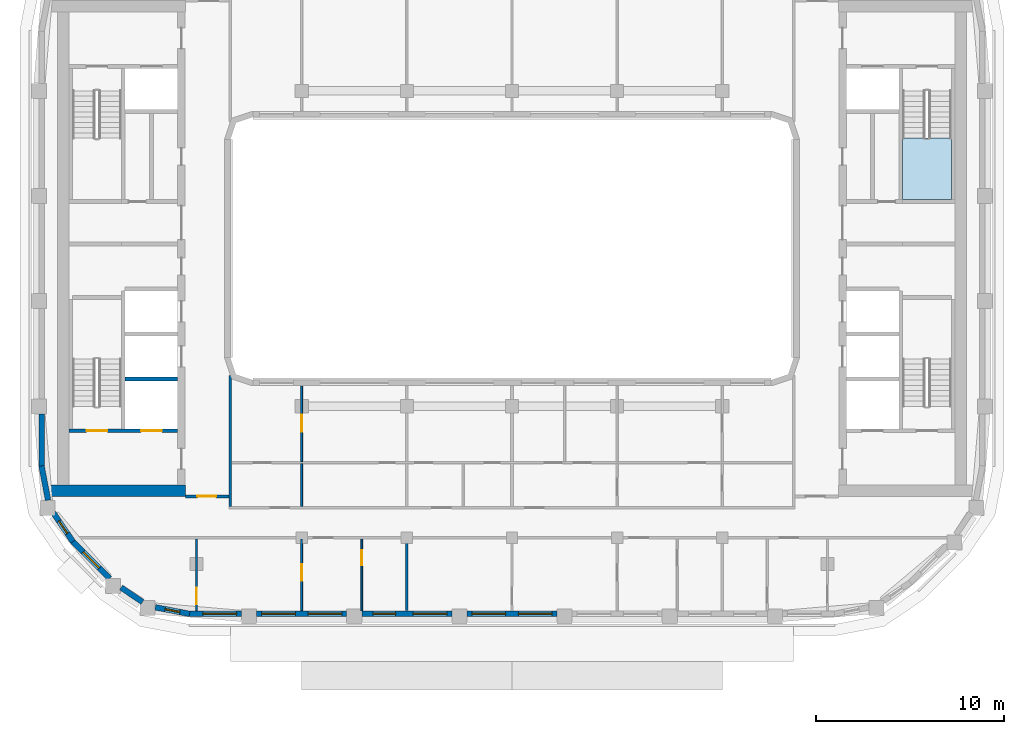
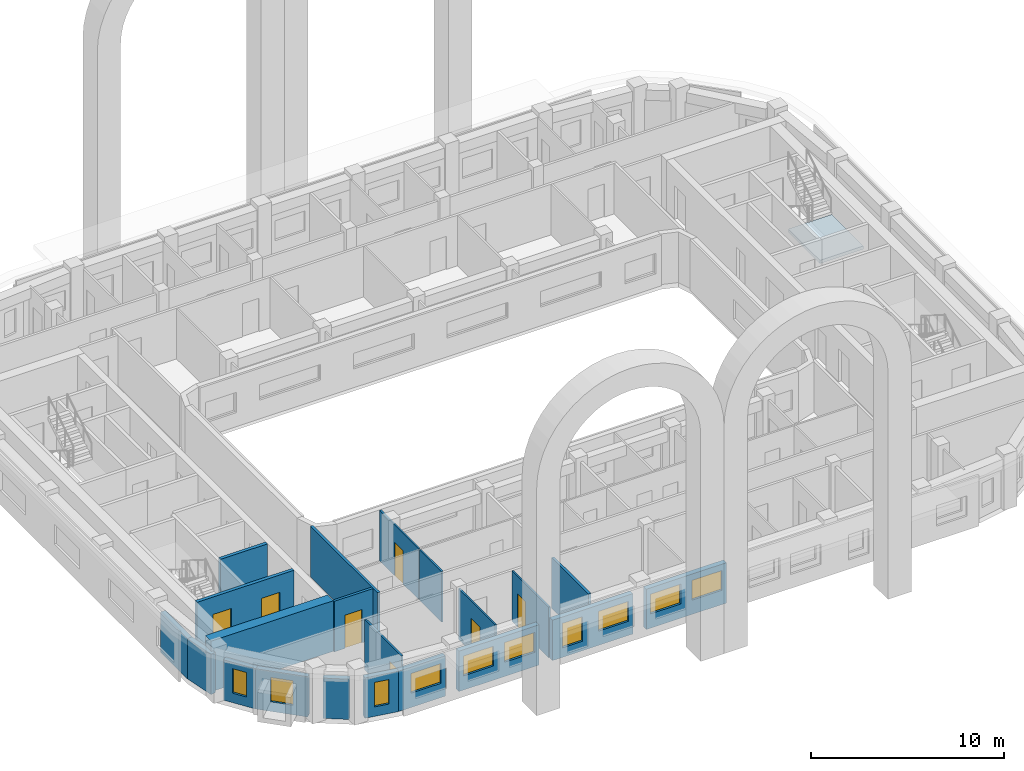
# One storey, part 2 of 18: 21 walls, 10 windows, 7 doors, 1 slab, 17 openings, 1 element without a shape of its own.
"""IFC4 building model written with IfcOpenShell, lengths in metres."""

from ifc_helpers import new_model, si_unit, direction, frame, frame_2d, origin, place, context, subcontext, project, spatial, polyline, rectangle, outline, extrude, material, layer, layer_set, type_object, element, fill, aggregate, save


model = new_model("IFC4")

# Units and contexts
model_context = context("Model", 3, precision=1e-05, world=origin(), true_north=direction((0.0, 1.0)))
body_context = subcontext(model_context, "Body", "Model", "MODEL_VIEW")
ifc_project = project(units=[si_unit("LENGTHUNIT", "METRE"), si_unit("AREAUNIT", "SQUARE_METRE"), si_unit("VOLUMEUNIT", "CUBIC_METRE"), si_unit("PLANEANGLEUNIT", "RADIAN"), si_unit("MASSUNIT", "GRAM", prefix="KILO")], contexts=[model_context])

# Site, building, storey
site_placement = place(None, origin())
site = spatial("IfcSite", under=ifc_project, at=site_placement, CompositionType="ELEMENT")
building_placement = place(site_placement, origin())
building = spatial("IfcBuilding", under=site, at=building_placement, Name="Kiln Ring Residences", CompositionType="ELEMENT")
storey_placement = place(building_placement, frame((0.0, 0.0, 262.699951171875)))
storey = spatial("IfcBuildingStorey", under=building, at=storey_placement, Name="L68", CompositionType="ELEMENT", Elevation=262.699951171875)

# Stair, slab
ifc_material_1 = material(Name="Concrete C40/50", Category="concrete")
stair_type = type_object("IfcStairType", Name="CORE-STAIR", PredefinedType="HALF_TURN_STAIR", material=ifc_material_1)
stair_placement = place(storey_placement, origin())
stair = element("IfcStair", 1, at=stair_placement, inside=storey, type_object=stair_type, Name="L68 stair E-STN", PredefinedType="HALF_TURN_STAIR")
ifc_material_2 = material(Name="Concrete C40/50", Category="concrete")
ifc_layer_1 = layer(ifc_material_2, 0.199951171875)
ifc_layer_set_1 = layer_set([ifc_layer_1], Name="CORE-STAIR-LANDING")
slab_type = type_object("IfcSlabType", Name="CORE-STAIR-LANDING", PredefinedType="LANDING", material=ifc_layer_set_1)
slab_placement = place(storey_placement, frame((0.0, 0.0, 1.550048828125)))
slab = element("IfcSlab", 2, at=slab_placement, type_object=slab_type, Name="E-STN landing 1", PredefinedType="LANDING", context=body_context, shape_type="SweptSolid", body=[
    extrude(outline(polyline([(20.800048828125, 5.8798828125), (20.800048828125, 2.60009765625), (23.39990234375, 2.60009765625), (23.39990234375, 5.8798828125), (20.800048828125, 5.8798828125)])), origin(), (0.0, 0.0, 1.0), 0.199951171875),
])
aggregate(stair, [slab])

# Wall
ifc_material_3 = material(Name="Gypsum shaft wall system")
ifc_layer_2 = layer(ifc_material_3, 0.199951171875)
ifc_layer_set_2 = layer_set([ifc_layer_2], Name="CORE-SHAFT-WALL-200")
wall_type_1 = type_object("IfcWallType", Name="CORE-SHAFT-WALL-200", PredefinedType="PARTITIONING", material=ifc_layer_set_2)
wall_1_placement = place(storey_placement, frame((-17.800048828125, -6.949951171875, 0.0), z_axis=(0.0, 0.0, 1.0), x_axis=(-1.0, 0.0, 0.0)))
element("IfcWall", 3, at=wall_1_placement, inside=storey, type_object=wall_type_1, Name="Core partition west L68 3", PredefinedType="PARTITIONING", context=body_context, shape_type="SweptSolid", body=[
    extrude(rectangle(XDim=2.800048828125, YDim=0.199951171875, at=frame_2d((1.39990234375, 0.0))), origin(), (0.0, 0.0, 1.0), 3.199951171875),
])

# Wall, openings, doors
ifc_material_4 = material(Name="Concrete C40/50", Category="concrete")
ifc_layer_3 = layer(ifc_material_4, 0.199951171875)
ifc_layer_set_3 = layer_set([ifc_layer_3], Name="CORE-WALL-RC200")
wall_type_2 = type_object("IfcWallType", Name="CORE-WALL-RC200", PredefinedType="SHEAR", material=ifc_layer_set_3)
wall_2_placement = place(storey_placement, frame((-17.800048828125, -9.699951171875, 0.0), z_axis=(0.0, 0.0, 1.0), x_axis=(-1.0, 0.0, 0.0)))
wall_2 = element("IfcWall", 4, at=wall_2_placement, inside=storey, type_object=wall_type_2, Name="Core wall west L68 8", PredefinedType="SHEAR", context=body_context, shape_type="SweptSolid", body=[
    extrude(rectangle(XDim=5.800048828125, YDim=0.199951171875, at=frame_2d((2.89990234375, 0.0))), origin(), (0.0, 0.0, 1.0), 3.199951171875),
])
opening_1_placement = place(wall_2_placement, frame((0.85009765625, 0.0, 0.0)))
opening_1 = element("IfcOpeningElement", 5, at=opening_1_placement, cuts=wall_2, Name="Opening L68-CW01", PredefinedType="OPENING", context=body_context, shape_type="SweptSolid", body=[
    extrude(rectangle(XDim=1.10009765625, YDim=2.10009765625, at=frame_2d((0.550048828125, 1.050048828125))), frame((0.0, 0.10986328125, 0.0), z_axis=(0.0, -1.0, 0.0), x_axis=(1.0, 0.0, 0.0)), (0.0, 0.0, 1.0), 0.219970703125),
])
opening_2_placement = place(wall_2_placement, frame((3.75, 0.0, 0.0)))
opening_2 = element("IfcOpeningElement", 6, at=opening_2_placement, cuts=wall_2, Name="Opening L68-CW11", PredefinedType="OPENING", context=body_context, shape_type="SweptSolid", body=[
    extrude(rectangle(XDim=1.10009765625, YDim=2.10009765625, at=frame_2d((0.550048828125, 1.050048828125))), frame((0.0, 0.10986328125, 0.0), z_axis=(0.0, -1.0, 0.0), x_axis=(1.0, 0.0, 0.0)), (0.0, 0.0, 1.0), 0.219970703125),
])
ifc_material_5 = material(Name="Steel door leaf", Category="steel")
door_type_1 = type_object("IfcDoorType", Name="CORE-DOOR-LD", OperationType="DOUBLE_DOOR_SLIDING", PredefinedType="DOOR", material=ifc_material_5)
door_1_placement = place(opening_1_placement, origin())
door_1 = element("IfcDoor", 7, at=door_1_placement, inside=storey, type_object=door_type_1, Name="LD W-SV L68-CW01", OperationType="DOUBLE_DOOR_SLIDING", OverallHeight=2.10009765625, OverallWidth=1.10009765625, PredefinedType="DOOR", context=body_context, shape_type="SweptSolid", body=[
    extrude(rectangle(XDim=1.10009765625, YDim=2.10009765625, at=frame_2d((0.550048828125, 1.050048828125))), frame((0.0, 0.02490234375, 0.0), z_axis=(0.0, -1.0, 0.0), x_axis=(1.0, 0.0, 0.0)), (0.0, 0.0, 1.0), 0.050048828125),
])
fill(opening_1, door_1)
ifc_material_6 = material(Name="Steel door leaf", Category="steel")
door_type_2 = type_object("IfcDoorType", Name="CORE-DOOR-STAIR", OperationType="SINGLE_SWING_LEFT", PredefinedType="DOOR", material=ifc_material_6)
door_2_placement = place(opening_2_placement, origin())
door_2 = element("IfcDoor", 8, at=door_2_placement, inside=storey, type_object=door_type_2, Name="Stair W-STS L68-CW11", OperationType="SINGLE_SWING_RIGHT", OverallHeight=2.10009765625, OverallWidth=1.10009765625, PredefinedType="DOOR", context=body_context, shape_type="SweptSolid", body=[
    extrude(rectangle(XDim=1.10009765625, YDim=2.10009765625, at=frame_2d((0.550048828125, 1.050048828125))), frame((0.0, 0.02490234375, 0.0), z_axis=(0.0, -1.0, 0.0), x_axis=(1.0, 0.0, 0.0)), (0.0, 0.0, 1.0), 0.050048828125),
])
fill(opening_2, door_2)

# Wall
ifc_material_7 = material(Name="Concrete C60/75", Category="concrete")
ifc_layer_4 = layer(ifc_material_7, 0.60009765625)
ifc_layer_set_4 = layer_set([ifc_layer_4], Name="CORE-WALL-RC600")
wall_type_3 = type_object("IfcWallType", Name="CORE-WALL-RC600", PredefinedType="SHEAR", material=ifc_layer_set_4)
wall_3_placement = place(storey_placement, frame((-17.39990234375, -12.89990234375, 0.0), z_axis=(0.0, 0.0, 1.0), x_axis=(-1.0, 0.0, 0.0)))
element("IfcWall", 9, at=wall_3_placement, inside=storey, type_object=wall_type_3, Name="Core wall west L68 5", PredefinedType="SHEAR", context=body_context, shape_type="SweptSolid", body=[
    extrude(rectangle(XDim=7.320068359375, YDim=0.60009765625, at=frame_2d((3.66015625, 0.0))), origin(), (0.0, 0.0, 1.0), 3.199951171875),
])

# Wall, opening, window
ifc_material_8 = material(Name="Brick masonry, dark clay brick", Category="masonry")
ifc_layer_5 = layer(ifc_material_8, 0.300048828125)
ifc_layer_set_5 = layer_set([ifc_layer_5], Name="EW-300 BRICK WALL")
wall_type_4 = type_object("IfcWallType", Name="EW-300 BRICK WALL", PredefinedType="SOLIDWALL", material=ifc_layer_set_5)
wall_4_placement = place(storey_placement, frame((-23.39697265625, -15.591064453125, 0.0), z_axis=(0.0, 0.0, 1.0), x_axis=(0.707150377276, -0.707063182409, 0.0)))
wall_4 = element("IfcWall", 10, at=wall_4_placement, inside=storey, type_object=wall_type_4, Name="Facade wall L68 1", PredefinedType="SOLIDWALL", context=body_context, shape_type="SweptSolid", body=[
    extrude(rectangle(XDim=2.800048828125, YDim=0.300048828125, at=frame_2d((1.39990234375, 0.0))), origin(), (0.0, 0.0, 1.0), 2.550048828125),
])
opening_3_placement = place(wall_4_placement, frame((0.800048828125, 0.0, 0.60009765625)))
opening_3 = element("IfcOpeningElement", 11, at=opening_3_placement, cuts=wall_4, Name="Opening W1", PredefinedType="OPENING", context=body_context, shape_type="SweptSolid", body=[
    extrude(rectangle(XDim=1.199951171875, YDim=1.550048828125, at=frame_2d((0.60009765625, 0.77490234375))), frame((0.0, 0.159912109375, 0.0), z_axis=(0.0, -1.0, 0.0), x_axis=(1.0, 0.0, 0.0)), (0.0, 0.0, 1.0), 0.320068359375),
])
ifc_material_9 = material(Name="Aluminium frame with double glazing", Category="aluminium")
window_type_1 = type_object("IfcWindowType", Name="WINDOW 1200 x 1550", PartitioningType="SINGLE_PANEL", PredefinedType="WINDOW", material=ifc_material_9)
window_1_placement = place(opening_3_placement, origin())
window_1 = element("IfcWindow", 12, at=window_1_placement, inside=storey, type_object=window_type_1, Name="Window L68 1", OverallHeight=1.550048828125, OverallWidth=1.199951171875, PartitioningType="SINGLE_PANEL", PredefinedType="WINDOW", context=body_context, shape_type="SweptSolid", body=[
    extrude(rectangle(XDim=1.199951171875, YDim=1.550048828125, at=frame_2d((0.60009765625, 0.77490234375))), frame((0.0, 0.030029296875, 0.0), z_axis=(0.0, -1.0, 0.0), x_axis=(1.0, 0.0, 0.0)), (0.0, 0.0, 1.0), 0.06005859375),
])
fill(opening_3, window_1)

# Wall
wall_5_placement = place(storey_placement, frame((-20.816650390625, -18.048095703125, 0.0), z_axis=(0.0, 0.0, 1.0), x_axis=(0.827025410886, -0.562164539747, 0.0)))
element("IfcWall", 13, at=wall_5_placement, inside=storey, type_object=wall_type_4, Name="Facade wall L68 2", PredefinedType="SOLIDWALL", context=body_context, shape_type="SweptSolid", body=[
    extrude(rectangle(XDim=1.377197265625, YDim=0.300048828125, at=frame_2d((0.6884765625, 0.0))), origin(), (0.0, 0.0, 1.0), 2.550048828125),
])

# Wall, opening, window
wall_6_placement = place(storey_placement, frame((-18.9951171875, -19.10498046875, 0.0), z_axis=(0.0, 0.0, 1.0), x_axis=(0.982301706131, -0.187305520826, 0.0)))
wall_6 = element("IfcWall", 14, at=wall_6_placement, inside=storey, type_object=wall_type_4, Name="Facade wall L68 3", PredefinedType="SOLIDWALL", context=body_context, shape_type="SweptSolid", body=[
    extrude(rectangle(XDim=1.856201171875, YDim=0.300048828125, at=frame_2d((0.92822265625, 0.0))), origin(), (0.0, 0.0, 1.0), 2.550048828125),
])
opening_4_placement = place(wall_6_placement, frame((0.528076171875, 0.0, 0.60009765625)))
opening_4 = element("IfcOpeningElement", 15, at=opening_4_placement, cuts=wall_6, Name="Opening W5", PredefinedType="OPENING", context=body_context, shape_type="SweptSolid", body=[
    extrude(rectangle(XDim=0.800048828125, YDim=1.550048828125, at=frame_2d((0.39990234375, 0.77490234375))), frame((0.0, 0.159912109375, 0.0), z_axis=(0.0, -1.0, 0.0), x_axis=(1.0, 0.0, 0.0)), (0.0, 0.0, 1.0), 0.320068359375),
])
ifc_material_10 = material(Name="Aluminium frame with double glazing", Category="aluminium")
window_type_2 = type_object("IfcWindowType", Name="WINDOW 800 x 1550", PartitioningType="SINGLE_PANEL", PredefinedType="WINDOW", material=ifc_material_10)
window_2_placement = place(opening_4_placement, origin())
window_2 = element("IfcWindow", 16, at=window_2_placement, inside=storey, type_object=window_type_2, Name="Window L68 2", OverallHeight=1.550048828125, OverallWidth=0.800048828125, PartitioningType="SINGLE_PANEL", PredefinedType="WINDOW", context=body_context, shape_type="SweptSolid", body=[
    extrude(rectangle(XDim=0.800048828125, YDim=1.550048828125, at=frame_2d((0.39990234375, 0.77490234375))), frame((0.0, 0.030029296875, 0.0), z_axis=(0.0, -1.0, 0.0), x_axis=(1.0, 0.0, 0.0)), (0.0, 0.0, 1.0), 0.06005859375),
])
fill(opening_4, window_2)

wall_7_placement = place(storey_placement, frame((-17.199951171875, -19.449951171875, 0.0), z_axis=(0.0, 0.0, 1.0), x_axis=(1.0, 0.0, 0.0)))
wall_7 = element("IfcWall", 17, at=wall_7_placement, inside=storey, type_object=wall_type_4, Name="Facade wall L68 4", PredefinedType="SOLIDWALL", context=body_context, shape_type="SweptSolid", body=[
    extrude(rectangle(XDim=2.800048828125, YDim=0.300048828125, at=frame_2d((1.39990234375, 0.0))), origin(), (0.0, 0.0, 1.0), 2.550048828125),
])
opening_5_placement = place(wall_7_placement, frame((0.737548828125, 0.0, 0.89990234375)))
opening_5 = element("IfcOpeningElement", 18, at=opening_5_placement, cuts=wall_7, Name="Opening W2", PredefinedType="OPENING", context=body_context, shape_type="SweptSolid", body=[
    extrude(rectangle(XDim=1.800048828125, YDim=1.25, at=frame_2d((0.89990234375, 0.625))), frame((0.0, 0.159912109375, 0.0), z_axis=(0.0, -1.0, 0.0), x_axis=(1.0, 0.0, 0.0)), (0.0, 0.0, 1.0), 0.320068359375),
])
ifc_material_11 = material(Name="Aluminium frame with double glazing", Category="aluminium")
window_type_3 = type_object("IfcWindowType", Name="WINDOW 1800 x 1250", PartitioningType="SINGLE_PANEL", PredefinedType="WINDOW", material=ifc_material_11)
window_3_placement = place(opening_5_placement, origin())
window_3 = element("IfcWindow", 19, at=window_3_placement, inside=storey, type_object=window_type_3, Name="Window L68 3", OverallHeight=1.25, OverallWidth=1.800048828125, PartitioningType="SINGLE_PANEL", PredefinedType="WINDOW", context=body_context, shape_type="SweptSolid", body=[
    extrude(rectangle(XDim=1.800048828125, YDim=1.25, at=frame_2d((0.89990234375, 0.625))), frame((0.0, 0.030029296875, 0.0), z_axis=(0.0, -1.0, 0.0), x_axis=(1.0, 0.0, 0.0)), (0.0, 0.0, 1.0), 0.06005859375),
])
fill(opening_5, window_3)

# Wall, openings, windows
wall_8_placement = place(storey_placement, frame((-13.60009765625, -19.449951171875, 0.0), z_axis=(0.0, 0.0, 1.0), x_axis=(1.0, 0.0, 0.0)))
wall_8 = element("IfcWall", 20, at=wall_8_placement, inside=storey, type_object=wall_type_4, Name="Facade wall L68 5", PredefinedType="SOLIDWALL", context=body_context, shape_type="SweptSolid", body=[
    extrude(rectangle(XDim=4.800048828125, YDim=0.300048828125, at=frame_2d((2.39990234375, 0.0))), origin(), (0.0, 0.0, 1.0), 2.550048828125),
])
opening_6_placement = place(wall_8_placement, frame((0.262451171875, 0.0, 0.89990234375)))
opening_6 = element("IfcOpeningElement", 21, at=opening_6_placement, cuts=wall_8, Name="Opening W2", PredefinedType="OPENING", context=body_context, shape_type="SweptSolid", body=[
    extrude(rectangle(XDim=1.800048828125, YDim=1.25, at=frame_2d((0.89990234375, 0.625))), frame((0.0, 0.159912109375, 0.0), z_axis=(0.0, -1.0, 0.0), x_axis=(1.0, 0.0, 0.0)), (0.0, 0.0, 1.0), 0.320068359375),
])
opening_7_placement = place(wall_8_placement, frame((2.737548828125, 0.0, 0.89990234375)))
opening_7 = element("IfcOpeningElement", 22, at=opening_7_placement, cuts=wall_8, Name="Opening W2", PredefinedType="OPENING", context=body_context, shape_type="SweptSolid", body=[
    extrude(rectangle(XDim=1.800048828125, YDim=1.25, at=frame_2d((0.89990234375, 0.625))), frame((0.0, 0.159912109375, 0.0), z_axis=(0.0, -1.0, 0.0), x_axis=(1.0, 0.0, 0.0)), (0.0, 0.0, 1.0), 0.320068359375),
])
window_4_placement = place(opening_6_placement, origin())
window_4 = element("IfcWindow", 23, at=window_4_placement, inside=storey, type_object=window_type_3, Name="Window L68 4", OverallHeight=1.25, OverallWidth=1.800048828125, PartitioningType="SINGLE_PANEL", PredefinedType="WINDOW", context=body_context, shape_type="SweptSolid", body=[
    extrude(rectangle(XDim=1.800048828125, YDim=1.25, at=frame_2d((0.89990234375, 0.625))), frame((0.0, 0.030029296875, 0.0), z_axis=(0.0, -1.0, 0.0), x_axis=(1.0, 0.0, 0.0)), (0.0, 0.0, 1.0), 0.06005859375),
])
fill(opening_6, window_4)
window_5_placement = place(opening_7_placement, origin())
window_5 = element("IfcWindow", 24, at=window_5_placement, inside=storey, type_object=window_type_3, Name="Window L68 5", OverallHeight=1.25, OverallWidth=1.800048828125, PartitioningType="SINGLE_PANEL", PredefinedType="WINDOW", context=body_context, shape_type="SweptSolid", body=[
    extrude(rectangle(XDim=1.800048828125, YDim=1.25, at=frame_2d((0.89990234375, 0.625))), frame((0.0, 0.030029296875, 0.0), z_axis=(0.0, -1.0, 0.0), x_axis=(1.0, 0.0, 0.0)), (0.0, 0.0, 1.0), 0.06005859375),
])
fill(opening_7, window_5)

wall_9_placement = place(storey_placement, frame((-8.0, -19.449951171875, 0.0), z_axis=(0.0, 0.0, 1.0), x_axis=(1.0, 0.0, 0.0)))
wall_9 = element("IfcWall", 25, at=wall_9_placement, inside=storey, type_object=wall_type_4, Name="Facade wall L68 6", PredefinedType="SOLIDWALL", context=body_context, shape_type="SweptSolid", body=[
    extrude(rectangle(XDim=4.800048828125, YDim=0.300048828125, at=frame_2d((2.39990234375, 0.0))), origin(), (0.0, 0.0, 1.0), 2.550048828125),
])
opening_8_placement = place(wall_9_placement, frame((0.60009765625, 0.0, 0.60009765625)))
opening_8 = element("IfcOpeningElement", 26, at=opening_8_placement, cuts=wall_9, Name="Opening W1", PredefinedType="OPENING", context=body_context, shape_type="SweptSolid", body=[
    extrude(rectangle(XDim=1.199951171875, YDim=1.550048828125, at=frame_2d((0.60009765625, 0.77490234375))), frame((0.0, 0.159912109375, 0.0), z_axis=(0.0, -1.0, 0.0), x_axis=(1.0, 0.0, 0.0)), (0.0, 0.0, 1.0), 0.320068359375),
])
opening_9_placement = place(wall_9_placement, frame((2.737548828125, 0.0, 0.89990234375)))
opening_9 = element("IfcOpeningElement", 27, at=opening_9_placement, cuts=wall_9, Name="Opening W2", PredefinedType="OPENING", context=body_context, shape_type="SweptSolid", body=[
    extrude(rectangle(XDim=1.800048828125, YDim=1.25, at=frame_2d((0.89990234375, 0.625))), frame((0.0, 0.159912109375, 0.0), z_axis=(0.0, -1.0, 0.0), x_axis=(1.0, 0.0, 0.0)), (0.0, 0.0, 1.0), 0.320068359375),
])
window_6_placement = place(opening_8_placement, origin())
window_6 = element("IfcWindow", 28, at=window_6_placement, inside=storey, type_object=window_type_1, Name="Window L68 6", OverallHeight=1.550048828125, OverallWidth=1.199951171875, PartitioningType="SINGLE_PANEL", PredefinedType="WINDOW", context=body_context, shape_type="SweptSolid", body=[
    extrude(rectangle(XDim=1.199951171875, YDim=1.550048828125, at=frame_2d((0.60009765625, 0.77490234375))), frame((0.0, 0.030029296875, 0.0), z_axis=(0.0, -1.0, 0.0), x_axis=(1.0, 0.0, 0.0)), (0.0, 0.0, 1.0), 0.06005859375),
])
fill(opening_8, window_6)
window_7_placement = place(opening_9_placement, origin())
window_7 = element("IfcWindow", 29, at=window_7_placement, inside=storey, type_object=window_type_3, Name="Window L68 7", OverallHeight=1.25, OverallWidth=1.800048828125, PartitioningType="SINGLE_PANEL", PredefinedType="WINDOW", context=body_context, shape_type="SweptSolid", body=[
    extrude(rectangle(XDim=1.800048828125, YDim=1.25, at=frame_2d((0.89990234375, 0.625))), frame((0.0, 0.030029296875, 0.0), z_axis=(0.0, -1.0, 0.0), x_axis=(1.0, 0.0, 0.0)), (0.0, 0.0, 1.0), 0.06005859375),
])
fill(opening_9, window_7)

wall_10_placement = place(storey_placement, frame((-2.39990234375, -19.449951171875, 0.0), z_axis=(0.0, 0.0, 1.0), x_axis=(1.0, 0.0, 0.0)))
wall_10 = element("IfcWall", 30, at=wall_10_placement, inside=storey, type_object=wall_type_4, Name="Facade wall L68 7", PredefinedType="SOLIDWALL", context=body_context, shape_type="SweptSolid", body=[
    extrude(rectangle(XDim=4.7998046875, YDim=0.300048828125, at=frame_2d((2.39990234375, 0.0))), origin(), (0.0, 0.0, 1.0), 2.550048828125),
])
opening_10_placement = place(wall_10_placement, frame((0.262451171875, 0.0, 0.89990234375)))
opening_10 = element("IfcOpeningElement", 31, at=opening_10_placement, cuts=wall_10, Name="Opening W2", PredefinedType="OPENING", context=body_context, shape_type="SweptSolid", body=[
    extrude(rectangle(XDim=1.800048828125, YDim=1.25, at=frame_2d((0.89990234375, 0.625))), frame((0.0, 0.159912109375, 0.0), z_axis=(0.0, -1.0, 0.0), x_axis=(1.0, 0.0, 0.0)), (0.0, 0.0, 1.0), 0.320068359375),
])
opening_11_placement = place(wall_10_placement, frame((2.737548828125, 0.0, 0.89990234375)))
opening_11 = element("IfcOpeningElement", 32, at=opening_11_placement, cuts=wall_10, Name="Opening W2", PredefinedType="OPENING", context=body_context, shape_type="SweptSolid", body=[
    extrude(rectangle(XDim=1.800048828125, YDim=1.25, at=frame_2d((0.89990234375, 0.625))), frame((0.0, 0.159912109375, 0.0), z_axis=(0.0, -1.0, 0.0), x_axis=(1.0, 0.0, 0.0)), (0.0, 0.0, 1.0), 0.320068359375),
])
window_8_placement = place(opening_10_placement, origin())
window_8 = element("IfcWindow", 33, at=window_8_placement, inside=storey, type_object=window_type_3, Name="Window L68 8", OverallHeight=1.25, OverallWidth=1.800048828125, PartitioningType="SINGLE_PANEL", PredefinedType="WINDOW", context=body_context, shape_type="SweptSolid", body=[
    extrude(rectangle(XDim=1.800048828125, YDim=1.25, at=frame_2d((0.89990234375, 0.625))), frame((0.0, 0.030029296875, 0.0), z_axis=(0.0, -1.0, 0.0), x_axis=(1.0, 0.0, 0.0)), (0.0, 0.0, 1.0), 0.06005859375),
])
fill(opening_10, window_8)
window_9_placement = place(opening_11_placement, origin())
window_9 = element("IfcWindow", 34, at=window_9_placement, inside=storey, type_object=window_type_3, Name="Window L68 9", OverallHeight=1.25, OverallWidth=1.800048828125, PartitioningType="SINGLE_PANEL", PredefinedType="WINDOW", context=body_context, shape_type="SweptSolid", body=[
    extrude(rectangle(XDim=1.800048828125, YDim=1.25, at=frame_2d((0.89990234375, 0.625))), frame((0.0, 0.030029296875, 0.0), z_axis=(0.0, -1.0, 0.0), x_axis=(1.0, 0.0, 0.0)), (0.0, 0.0, 1.0), 0.06005859375),
])
fill(opening_11, window_9)

# Walls
wall_11_placement = place(storey_placement, frame((-25.050048828125, -8.800048828125, 0.0), z_axis=(0.0, 0.0, 1.0), x_axis=(0.0, -1.0, 0.0)))
element("IfcWall", 35, at=wall_11_placement, inside=storey, type_object=wall_type_4, Name="Facade wall L68 42", PredefinedType="SOLIDWALL", context=body_context, shape_type="SweptSolid", body=[
    extrude(rectangle(XDim=2.800048828125, YDim=0.300048828125, at=frame_2d((1.39990234375, 0.0))), origin(), (0.0, 0.0, 1.0), 2.550048828125),
])
wall_12_placement = place(storey_placement, frame((-25.052734375, -11.57177734375, 0.0), z_axis=(0.0, 0.0, 1.0), x_axis=(0.187408222942, -0.982282117303, 0.0)))
element("IfcWall", 36, at=wall_12_placement, inside=storey, type_object=wall_type_4, Name="Facade wall L68 43", PredefinedType="SOLIDWALL", context=body_context, shape_type="SweptSolid", body=[
    extrude(rectangle(XDim=1.8564453125, YDim=0.300048828125, at=frame_2d((0.92822265625, 0.0))), origin(), (0.0, 0.0, 1.0), 2.550048828125),
])

# Wall, opening, window
wall_13_placement = place(storey_placement, frame((-24.422119140625, -14.07763671875, 0.0), z_axis=(0.0, 0.0, 1.0), x_axis=(0.562054549384, -0.827100165347, 0.0)))
wall_13 = element("IfcWall", 37, at=wall_13_placement, inside=storey, type_object=wall_type_4, Name="Facade wall L68 44", PredefinedType="SOLIDWALL", context=body_context, shape_type="SweptSolid", body=[
    extrude(rectangle(XDim=1.85595703125, YDim=0.300048828125, at=frame_2d((0.927978515625, 0.0))), origin(), (0.0, 0.0, 1.0), 2.550048828125),
])
opening_12_placement = place(wall_13_placement, frame((0.528076171875, 0.0, 0.60009765625)))
opening_12 = element("IfcOpeningElement", 38, at=opening_12_placement, cuts=wall_13, Name="Opening W5", PredefinedType="OPENING", context=body_context, shape_type="SweptSolid", body=[
    extrude(rectangle(XDim=0.800048828125, YDim=1.550048828125, at=frame_2d((0.39990234375, 0.77490234375))), frame((0.0, 0.159912109375, 0.0), z_axis=(0.0, -1.0, 0.0), x_axis=(1.0, 0.0, 0.0)), (0.0, 0.0, 1.0), 0.320068359375),
])
window_10_placement = place(opening_12_placement, origin())
window_10 = element("IfcWindow", 39, at=window_10_placement, inside=storey, type_object=window_type_2, Name="Window L68 36", OverallHeight=1.550048828125, OverallWidth=0.800048828125, PartitioningType="SINGLE_PANEL", PredefinedType="WINDOW", context=body_context, shape_type="SweptSolid", body=[
    extrude(rectangle(XDim=0.800048828125, YDim=1.550048828125, at=frame_2d((0.39990234375, 0.77490234375))), frame((0.0, 0.030029296875, 0.0), z_axis=(0.0, -1.0, 0.0), x_axis=(1.0, 0.0, 0.0)), (0.0, 0.0, 1.0), 0.06005859375),
])
fill(opening_12, window_10)

# Wall, opening, door
ifc_material_12 = material(Name="Gypsum board on steel studs", Category="steel")
ifc_layer_6 = layer(ifc_material_12, 0.10009765625)
ifc_layer_set_6 = layer_set([ifc_layer_6], Name="PARTITION-100")
wall_type_5 = type_object("IfcWallType", Name="PARTITION-100", PredefinedType="PARTITIONING", material=ifc_layer_set_6)
wall_14_placement = place(storey_placement, frame((-16.800048828125, -19.280029296875, 0.0), z_axis=(0.0, 0.0, 1.0), x_axis=(0.0, 1.0, 0.0)))
wall_14 = element("IfcWall", 40, at=wall_14_placement, inside=storey, type_object=wall_type_5, Name="Partition 009", PredefinedType="PARTITIONING", context=body_context, shape_type="SweptSolid", body=[
    extrude(rectangle(XDim=3.804931640625, YDim=0.10009765625, at=frame_2d((1.90234375, 0.0))), origin(), (0.0, 0.0, 1.0), 3.199951171875),
])
opening_13_placement = place(wall_14_placement, frame((0.3291015625, 0.0, 0.0)))
opening_13 = element("IfcOpeningElement", 41, at=opening_13_placement, cuts=wall_14, Name="Opening L68-D040", PredefinedType="OPENING", context=body_context, shape_type="SweptSolid", body=[
    extrude(rectangle(XDim=0.89990234375, YDim=2.10009765625, at=frame_2d((0.449951171875, 1.050048828125))), frame((0.0, 0.06005859375, 0.0), z_axis=(0.0, -1.0, 0.0), x_axis=(1.0, 0.0, 0.0)), (0.0, 0.0, 1.0), 0.1201171875),
])
ifc_material_13 = material(Name="Timber door leaf", Category="wood")
door_type_3 = type_object("IfcDoorType", Name="FLAT-DOOR-900-PL", OperationType="SINGLE_SWING_LEFT", PredefinedType="DOOR", material=ifc_material_13)
door_3_placement = place(opening_13_placement, origin())
door_3 = element("IfcDoor", 42, at=door_3_placement, inside=storey, type_object=door_type_3, Name="Door L68-D040", OperationType="SINGLE_SWING_RIGHT", OverallHeight=2.10009765625, OverallWidth=0.89990234375, PredefinedType="DOOR", context=body_context, shape_type="SweptSolid", body=[
    extrude(rectangle(XDim=0.89990234375, YDim=2.10009765625, at=frame_2d((0.449951171875, 1.050048828125))), frame((0.0, 0.02490234375, 0.0), z_axis=(0.0, -1.0, 0.0), x_axis=(1.0, 0.0, 0.0)), (0.0, 0.0, 1.0), 0.050048828125),
])
fill(opening_13, door_3)

wall_15_placement = place(storey_placement, frame((-11.199951171875, -19.280029296875, 0.0), z_axis=(0.0, 0.0, 1.0), x_axis=(0.0, 1.0, 0.0)))
wall_15 = element("IfcWall", 43, at=wall_15_placement, inside=storey, type_object=wall_type_5, Name="Partition 014", PredefinedType="PARTITIONING", context=body_context, shape_type="SweptSolid", body=[
    extrude(rectangle(XDim=3.804931640625, YDim=0.10009765625, at=frame_2d((1.90234375, 0.0))), origin(), (0.0, 0.0, 1.0), 3.199951171875),
])
opening_14_placement = place(wall_15_placement, frame((1.5791015625, 0.0, 0.0)))
opening_14 = element("IfcOpeningElement", 44, at=opening_14_placement, cuts=wall_15, Name="Opening L68-D039", PredefinedType="OPENING", context=body_context, shape_type="SweptSolid", body=[
    extrude(rectangle(XDim=0.89990234375, YDim=2.10009765625, at=frame_2d((0.449951171875, 1.050048828125))), frame((0.0, 0.06005859375, 0.0), z_axis=(0.0, -1.0, 0.0), x_axis=(1.0, 0.0, 0.0)), (0.0, 0.0, 1.0), 0.1201171875),
])
door_4_placement = place(opening_14_placement, origin())
door_4 = element("IfcDoor", 45, at=door_4_placement, inside=storey, type_object=door_type_3, Name="Door L68-D039", OperationType="SINGLE_SWING_LEFT", OverallHeight=2.10009765625, OverallWidth=0.89990234375, PredefinedType="DOOR", context=body_context, shape_type="SweptSolid", body=[
    extrude(rectangle(XDim=0.89990234375, YDim=2.10009765625, at=frame_2d((0.449951171875, 1.050048828125))), frame((0.0, 0.02490234375, 0.0), z_axis=(0.0, -1.0, 0.0), x_axis=(1.0, 0.0, 0.0)), (0.0, 0.0, 1.0), 0.050048828125),
])
fill(opening_14, door_4)

# Wall
wall_16_placement = place(storey_placement, frame((-11.199951171875, -13.72509765625, 0.0), z_axis=(0.0, 0.0, 1.0), x_axis=(0.0, 1.0, 0.0)))
element("IfcWall", 46, at=wall_16_placement, inside=storey, type_object=wall_type_5, Name="Partition 015", PredefinedType="PARTITIONING", context=body_context, shape_type="SweptSolid", body=[
    extrude(rectangle(XDim=2.275146484375, YDim=0.10009765625, at=frame_2d((1.1376953125, 0.0))), origin(), (0.0, 0.0, 1.0), 3.199951171875),
])

# Wall, opening, door
wall_17_placement = place(storey_placement, frame((-11.199951171875, -11.35009765625, 0.0), z_axis=(0.0, 0.0, 1.0), x_axis=(0.0, 1.0, 0.0)))
wall_17 = element("IfcWall", 47, at=wall_17_placement, inside=storey, type_object=wall_type_5, Name="Partition 016", PredefinedType="PARTITIONING", context=body_context, shape_type="SweptSolid", body=[
    extrude(rectangle(XDim=4.030029296875, YDim=0.10009765625, at=frame_2d((2.01513671875, 0.0))), origin(), (0.0, 0.0, 1.0), 3.199951171875),
])
opening_15_placement = place(wall_17_placement, frame((1.60009765625, 0.0, 0.0)))
opening_15 = element("IfcOpeningElement", 48, at=opening_15_placement, cuts=wall_17, Name="Opening L68-D026", PredefinedType="OPENING", context=body_context, shape_type="SweptSolid", body=[
    extrude(rectangle(XDim=0.89990234375, YDim=2.10009765625, at=frame_2d((0.449951171875, 1.050048828125))), frame((0.0, 0.06005859375, 0.0), z_axis=(0.0, -1.0, 0.0), x_axis=(1.0, 0.0, 0.0)), (0.0, 0.0, 1.0), 0.1201171875),
])
door_5_placement = place(opening_15_placement, origin())
door_5 = element("IfcDoor", 49, at=door_5_placement, inside=storey, type_object=door_type_3, Name="Door L68-D026", OperationType="SINGLE_SWING_RIGHT", OverallHeight=2.10009765625, OverallWidth=0.89990234375, PredefinedType="DOOR", context=body_context, shape_type="SweptSolid", body=[
    extrude(rectangle(XDim=0.89990234375, YDim=2.10009765625, at=frame_2d((0.449951171875, 1.050048828125))), frame((0.0, 0.02490234375, 0.0), z_axis=(0.0, -1.0, 0.0), x_axis=(1.0, 0.0, 0.0)), (0.0, 0.0, 1.0), 0.050048828125),
])
fill(opening_15, door_5)

wall_18_placement = place(storey_placement, frame((-8.0, -19.280029296875, 0.0), z_axis=(0.0, 0.0, 1.0), x_axis=(0.0, 1.0, 0.0)))
wall_18 = element("IfcWall", 50, at=wall_18_placement, inside=storey, type_object=wall_type_5, Name="Partition 020", PredefinedType="PARTITIONING", context=body_context, shape_type="SweptSolid", body=[
    extrude(rectangle(XDim=3.804931640625, YDim=0.10009765625, at=frame_2d((1.90234375, 0.0))), origin(), (0.0, 0.0, 1.0), 3.199951171875),
])
opening_16_placement = place(wall_18_placement, frame((2.419921875, 0.0, 0.0)))
opening_16 = element("IfcOpeningElement", 51, at=opening_16_placement, cuts=wall_18, Name="Opening L68-D038", PredefinedType="OPENING", context=body_context, shape_type="SweptSolid", body=[
    extrude(rectangle(XDim=0.800048828125, YDim=2.10009765625, at=frame_2d((0.39990234375, 1.050048828125))), frame((0.0, 0.06005859375, 0.0), z_axis=(0.0, -1.0, 0.0), x_axis=(1.0, 0.0, 0.0)), (0.0, 0.0, 1.0), 0.1201171875),
])
ifc_material_14 = material(Name="Timber door leaf", Category="wood")
door_type_4 = type_object("IfcDoorType", Name="FLAT-DOOR-800-PL", OperationType="SINGLE_SWING_LEFT", PredefinedType="DOOR", material=ifc_material_14)
door_6_placement = place(opening_16_placement, origin())
door_6 = element("IfcDoor", 52, at=door_6_placement, inside=storey, type_object=door_type_4, Name="Door L68-D038", OperationType="SINGLE_SWING_RIGHT", OverallHeight=2.10009765625, OverallWidth=0.800048828125, PredefinedType="DOOR", context=body_context, shape_type="SweptSolid", body=[
    extrude(rectangle(XDim=0.800048828125, YDim=2.10009765625, at=frame_2d((0.39990234375, 1.050048828125))), frame((0.0, 0.02490234375, 0.0), z_axis=(0.0, -1.0, 0.0), x_axis=(1.0, 0.0, 0.0)), (0.0, 0.0, 1.0), 0.050048828125),
])
fill(opening_16, door_6)

ifc_material_15 = material(Name="Brick masonry partition", Category="masonry")
ifc_layer_7 = layer(ifc_material_15, 0.14990234375)
ifc_layer_set_7 = layer_set([ifc_layer_7], Name="PARTITION-150-ei60")
wall_type_6 = type_object("IfcWallType", Name="PARTITION-150-ei60", PredefinedType="PARTITIONING", material=ifc_layer_set_7)
wall_19_placement = place(storey_placement, frame((-17.39990234375, -13.199951171875, 0.0), z_axis=(0.0, 0.0, 1.0), x_axis=(1.0, 0.0, 0.0)))
wall_19 = element("IfcWall", 53, at=wall_19_placement, inside=storey, type_object=wall_type_6, Name="Partition 002", PredefinedType="PARTITIONING", context=body_context, shape_type="SweptSolid", body=[
    extrude(rectangle(XDim=2.324951171875, YDim=0.14990234375, at=frame_2d((1.16259765625, 0.0))), origin(), (0.0, 0.0, 1.0), 3.199951171875),
])
opening_17_placement = place(wall_19_placement, frame((0.64990234375, 0.0, 0.0)))
opening_17 = element("IfcOpeningElement", 54, at=opening_17_placement, cuts=wall_19, Name="Opening L68-D003", PredefinedType="OPENING", context=body_context, shape_type="SweptSolid", body=[
    extrude(rectangle(XDim=1.0, YDim=2.10009765625, at=frame_2d((0.5, 1.050048828125))), frame((0.0, 0.0849609375, 0.0), z_axis=(0.0, -1.0, 0.0), x_axis=(1.0, 0.0, 0.0)), (0.0, 0.0, 1.0), 0.169921875),
])
ifc_material_16 = material(Name="Steel faced fire door leaf", Category="steel")
door_type_5 = type_object("IfcDoorType", Name="FLAT-DOOR-1000-FR", OperationType="SINGLE_SWING_LEFT", PredefinedType="DOOR", material=ifc_material_16)
door_7_placement = place(opening_17_placement, origin())
door_7 = element("IfcDoor", 55, at=door_7_placement, inside=storey, type_object=door_type_5, Name="Door L68-D003", OperationType="SINGLE_SWING_RIGHT", OverallHeight=2.10009765625, OverallWidth=1.0, PredefinedType="DOOR", context=body_context, shape_type="SweptSolid", body=[
    extrude(rectangle(XDim=1.0, YDim=2.10009765625, at=frame_2d((0.5, 1.050048828125))), frame((0.0, 0.02490234375, 0.0), z_axis=(0.0, -1.0, 0.0), x_axis=(1.0, 0.0, 0.0)), (0.0, 0.0, 1.0), 0.050048828125),
])
fill(opening_17, door_7)

# Walls
wall_20_placement = place(storey_placement, frame((-15.0, -13.72509765625, 0.0), z_axis=(0.0, 0.0, 1.0), x_axis=(0.0, 1.0, 0.0)))
element("IfcWall", 56, at=wall_20_placement, inside=storey, type_object=wall_type_6, Name="Partition 011", PredefinedType="PARTITIONING", context=body_context, shape_type="SweptSolid", body=[
    extrude(rectangle(XDim=6.956298828125, YDim=0.14990234375, at=frame_2d((3.47802734375, 0.0))), origin(), (0.0, 0.0, 1.0), 3.199951171875),
])
wall_21_placement = place(storey_placement, frame((-5.60009765625, -19.280029296875, 0.0), z_axis=(0.0, 0.0, 1.0), x_axis=(0.0, 1.0, 0.0)))
element("IfcWall", 57, at=wall_21_placement, inside=storey, type_object=wall_type_6, Name="Partition 023", PredefinedType="PARTITIONING", context=body_context, shape_type="SweptSolid", body=[
    extrude(rectangle(XDim=3.804931640625, YDim=0.14990234375, at=frame_2d((1.90234375, 0.0))), origin(), (0.0, 0.0, 1.0), 3.199951171875),
])

save(model, "model.ifc")
